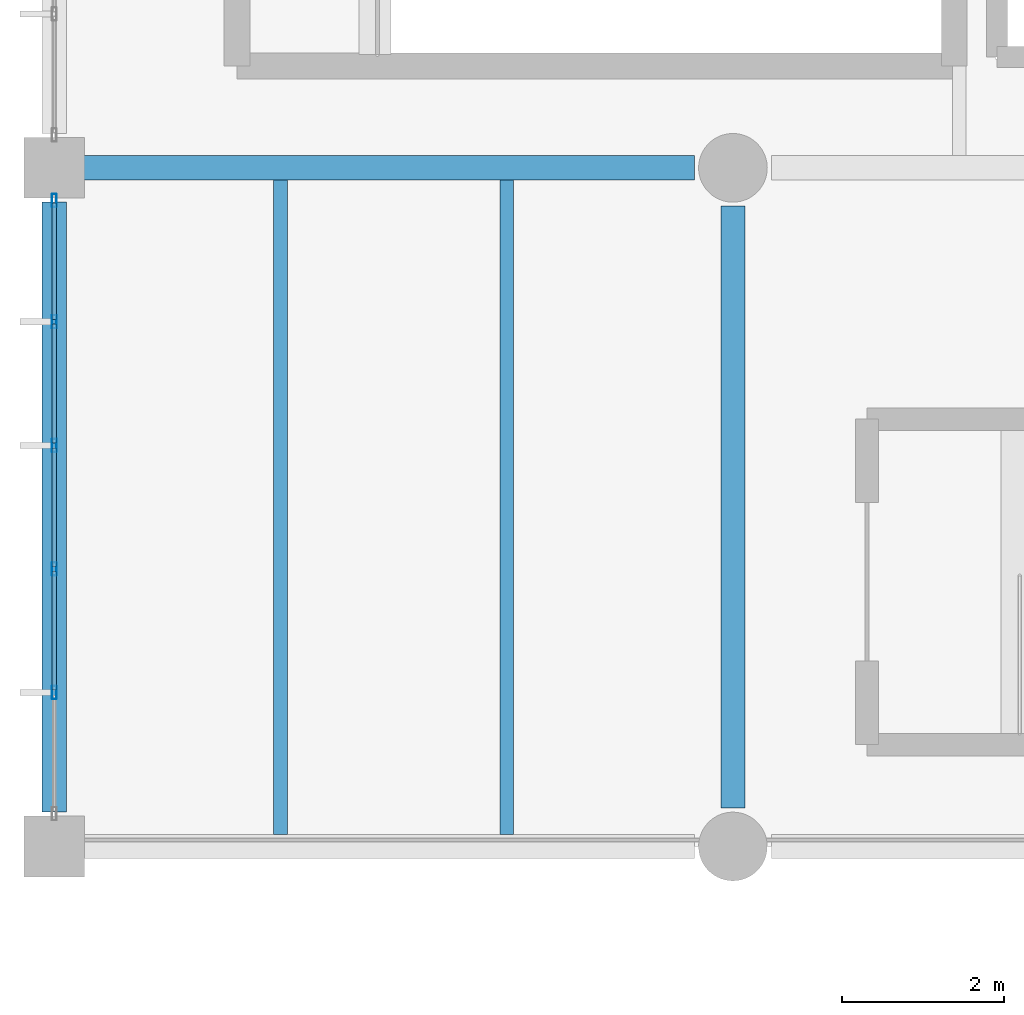
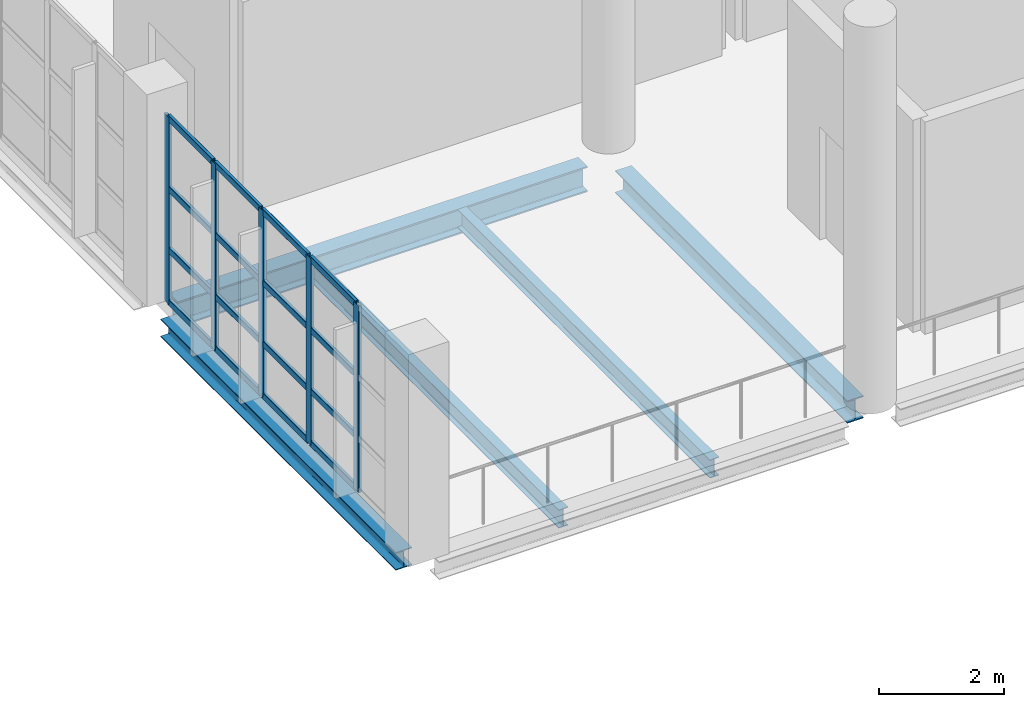
# One storey, part 27 of 177: 21 members, 5 beams, 1 element without a shape of its own.
"""IFC4 building model written with IfcOpenShell, lengths in metres."""

from ifc_helpers import new_model, si_unit, direction, frame, origin, origin_2d, place, context, subcontext, project, spatial, hollow_rectangle, i_section, extrude, material, layer, layer_set, material_profile, profile_set, type_object, element, aggregate, save


model = new_model("IFC4")

# Units and contexts
model_context = context("Model", 3, precision=1e-05, world=origin(), true_north=direction((0.0, 1.0)))
body_context = subcontext(model_context, "Body", "Model", "MODEL_VIEW")
ifc_project = project(units=[si_unit("LENGTHUNIT", "METRE"), si_unit("AREAUNIT", "SQUARE_METRE"), si_unit("VOLUMEUNIT", "CUBIC_METRE"), si_unit("PLANEANGLEUNIT", "RADIAN"), si_unit("MASSUNIT", "GRAM", prefix="KILO"), si_unit("THERMODYNAMICTEMPERATUREUNIT", "KELVIN"), si_unit("POWERUNIT", "WATT")], contexts=[model_context])

# Site, building, storey
site_placement = place(None, origin())
site = spatial("IfcSite", under=ifc_project, at=site_placement, CompositionType="ELEMENT")
building_placement = place(site_placement, origin())
building = spatial("IfcBuilding", under=site, at=building_placement, Name="Mavoryth Pier Ferry Terminal", CompositionType="ELEMENT")
storey_placement = place(building_placement, frame((0.0, 0.0, 5.43994140625)))
storey = spatial("IfcBuildingStorey", under=building, at=storey_placement, Name="L01", CompositionType="ELEMENT", Elevation=5.43994140625)

# Beams
ifc_material_1 = material(Name="Steel S355J2", Category="steel")
ifc_material_profile_1 = material_profile(ifc_material_1, i_section(OverallWidth=0.300048828125, OverallDepth=0.43994140625, WebThickness=0.011474609375, FlangeThickness=0.02099609375, FilletRadius=0.027099609375, at=origin_2d()), Name="HEA 450", Category="steel")
ifc_profile_set_1 = profile_set([ifc_material_profile_1], Name="Steel S355J2 - HEA 450")
beam_type_1 = type_object("IfcBeamType", Name="Beam-Steel-HEA450", PredefinedType="BEAM", material=ifc_profile_set_1)
beam_1_placement = place(storey_placement, frame((8.39990234375, 47.675048828125, -0.5), z_axis=(0.0, 1.0, 0.0), x_axis=(-1.0, 0.0, 0.0)))
element("IfcBeam", 1, at=beam_1_placement, inside=storey, type_object=beam_type_1, Name="Beam B01-SB03-0085", PredefinedType="BEAM", context=body_context, shape_type="SweptSolid", body=[
    extrude(i_section(OverallWidth=0.300048828125, OverallDepth=0.43994140625, WebThickness=0.011474609375, FlangeThickness=0.02099609375, FilletRadius=0.027099609375, at=origin_2d()), origin(), (0.0, 0.0, 1.0), 7.449951171875),
])
ifc_material_profile_2 = material_profile(ifc_material_1, i_section(OverallWidth=0.300048828125, OverallDepth=0.5, WebThickness=0.014404296875, FlangeThickness=0.028076171875, FilletRadius=0.027099609375, at=origin_2d()), Name="HEB 500", Category="steel")
ifc_profile_set_2 = profile_set([ifc_material_profile_2], Name="Steel S355J2 - HEB 500")
beam_type_2 = type_object("IfcBeamType", Name="Beam-Steel-HEB500", PredefinedType="BEAM", material=ifc_profile_set_2)
beam_2_placement = place(storey_placement, frame((0.324951171875, 55.60009765625, -0.530029296875), z_axis=(1.0, 0.0, 0.0), x_axis=(0.0, 1.0, 0.0)))
element("IfcBeam", 2, at=beam_2_placement, inside=storey, type_object=beam_type_2, Name="Beam B01-SB01-0052", PredefinedType="BEAM", context=body_context, shape_type="SweptSolid", body=[
    extrude(i_section(OverallWidth=0.300048828125, OverallDepth=0.5, WebThickness=0.014404296875, FlangeThickness=0.028076171875, FilletRadius=0.027099609375, at=origin_2d()), origin(), (0.0, 0.0, 1.0), 7.60009765625),
])
ifc_material_profile_3 = material_profile(ifc_material_1, i_section(OverallWidth=0.169921875, OverallDepth=0.360107421875, WebThickness=0.008056640625, FlangeThickness=0.0126953125, FilletRadius=0.01806640625, at=origin_2d()), Name="IPE 360", Category="steel")
ifc_profile_set_3 = profile_set([ifc_material_profile_3], Name="Steel S355J2 - IPE 360")
beam_type_3 = type_object("IfcBeamType", Name="Joist-Steel-IPE360", PredefinedType="JOIST", material=ifc_profile_set_3)
for number, where, z_axis, x_axis, name in (
    (3, (2.800048828125, 47.35009765625, -0.4599609375), (0.0, 1.0, 0.0), (-1.0, 0.0, 0.0), "Beam B01-SJ02-0111"),
    (4, (5.60009765625, 47.35009765625, -0.4599609375), (0.0, 1.0, 0.0), (-1.0, 0.0, 0.0), "Beam B01-SJ02-0112"),
):
    element("IfcBeam", number, at=place(storey_placement, frame(where, z_axis=z_axis, x_axis=x_axis)), inside=storey, type_object=beam_type_3, Name=name, PredefinedType="JOIST", context=body_context, shape_type="SweptSolid", body=[
        extrude(i_section(OverallWidth=0.169921875, OverallDepth=0.360107421875, WebThickness=0.008056640625, FlangeThickness=0.0126953125, FilletRadius=0.01806640625, at=origin_2d()), origin(), (0.0, 0.0, 1.0), 8.099853515625),
    ])

# Curtain wall, members
ifc_material_2 = material(Name="Anodised Aluminium and Solar-Control Low-E Glass", Category="aluminium")
ifc_layer = layer(ifc_material_2, 0.179931640625, Name="Anodised Aluminium and Solar-Control Low-E Glass", Category="aluminium")
ifc_layer_set = layer_set([ifc_layer], Name="Anodised Aluminium and Solar-Control Low-E Glass - CW-Concourse-Mod1400")
curtain_wall_type = type_object("IfcCurtainWallType", Name="CW-Concourse-Mod1400", PredefinedType="USERDEFINED", material=ifc_layer_set)
curtain_wall_placement = place(storey_placement, origin())
curtain_wall = element("IfcCurtainWall", 5, at=curtain_wall_placement, inside=storey, type_object=curtain_wall_type, Name="Curtain Wall CW-0122-007", ObjectType="UNITISED CURTAIN WALL", PredefinedType="USERDEFINED")
ifc_material_3 = material(Name="Anodised Aluminium EN AW-6063", Category="aluminium")
ifc_material_profile_4 = material_profile(ifc_material_3, hollow_rectangle(XDim=0.06005859375, YDim=0.1650390625, WallThickness=0.00390625, InnerFilletRadius=0.00390625, OuterFilletRadius=0.008056640625, at=origin_2d()), Name="AL-MULL 165x60x4", Category="aluminium")
ifc_profile_set_4 = profile_set([ifc_material_profile_4], Name="Anodised Aluminium EN AW-6063 - AL-MULL 165x60x4")
member_type_1 = type_object("IfcMemberType", Name="Mullion-Alum-165x60", PredefinedType="MULLION", material=ifc_profile_set_4)
member_1_placement = place(storey_placement, frame((0.0, 55.195068359375, 0.0), z_axis=(0.0, 0.0, 1.0), x_axis=(1.0, 0.0, 0.0)))
member_1 = element("IfcMember", 6, at=member_1_placement, type_object=member_type_1, Name="CW01 mullion 1", PredefinedType="MULLION", context=body_context, shape_type="SweptSolid", body=[
    extrude(hollow_rectangle(XDim=0.06005859375, YDim=0.1650390625, WallThickness=0.00390625, InnerFilletRadius=0.00390625, OuterFilletRadius=0.008056640625, at=origin_2d()), origin(), (0.0, 0.0, 1.0), 3.66015625),
])
member_2_placement = place(storey_placement, frame((0.0, 53.695068359375, 0.0), z_axis=(0.0, 0.0, 1.0), x_axis=(1.0, 0.0, 0.0)))
member_2 = element("IfcMember", 7, at=member_2_placement, type_object=member_type_1, Name="CW01 mullion 2", PredefinedType="MULLION", context=body_context, shape_type="SweptSolid", body=[
    extrude(hollow_rectangle(XDim=0.06005859375, YDim=0.1650390625, WallThickness=0.00390625, InnerFilletRadius=0.00390625, OuterFilletRadius=0.008056640625, at=origin_2d()), origin(), (0.0, 0.0, 1.0), 3.66015625),
])
member_3_placement = place(storey_placement, frame((0.0, 52.1650390625, 0.0), z_axis=(0.0, 0.0, 1.0), x_axis=(1.0, 0.0, 0.0)))
member_3 = element("IfcMember", 8, at=member_3_placement, type_object=member_type_1, Name="CW01 mullion 3", PredefinedType="MULLION", context=body_context, shape_type="SweptSolid", body=[
    extrude(hollow_rectangle(XDim=0.06005859375, YDim=0.1650390625, WallThickness=0.00390625, InnerFilletRadius=0.00390625, OuterFilletRadius=0.008056640625, at=origin_2d()), origin(), (0.0, 0.0, 1.0), 3.66015625),
])
member_4_placement = place(storey_placement, frame((0.0, 50.635009765625, 0.0), z_axis=(0.0, 0.0, 1.0), x_axis=(1.0, 0.0, 0.0)))
member_4 = element("IfcMember", 9, at=member_4_placement, type_object=member_type_1, Name="CW01 mullion 4", PredefinedType="MULLION", context=body_context, shape_type="SweptSolid", body=[
    extrude(hollow_rectangle(XDim=0.06005859375, YDim=0.1650390625, WallThickness=0.00390625, InnerFilletRadius=0.00390625, OuterFilletRadius=0.008056640625, at=origin_2d()), origin(), (0.0, 0.0, 1.0), 3.66015625),
])
member_5_placement = place(storey_placement, frame((0.0, 49.10498046875, 0.0), z_axis=(0.0, 0.0, 1.0), x_axis=(1.0, 0.0, 0.0)))
member_5 = element("IfcMember", 10, at=member_5_placement, type_object=member_type_1, Name="CW01 mullion 5", PredefinedType="MULLION", context=body_context, shape_type="SweptSolid", body=[
    extrude(hollow_rectangle(XDim=0.06005859375, YDim=0.1650390625, WallThickness=0.00390625, InnerFilletRadius=0.00390625, OuterFilletRadius=0.008056640625, at=origin_2d()), origin(), (0.0, 0.0, 1.0), 3.66015625),
])

# Beam
ifc_material_profile_5 = material_profile(ifc_material_1, i_section(OverallWidth=0.300048828125, OverallDepth=0.35009765625, WebThickness=0.010009765625, FlangeThickness=0.017578125, FilletRadius=0.027099609375, at=origin_2d()), Name="HEA 360", Category="steel")
ifc_profile_set_5 = profile_set([ifc_material_profile_5], Name="Steel S355J2 - HEA 360")
beam_type_4 = type_object("IfcBeamType", Name="Spandrel-Steel-HEA360", PredefinedType="SPANDREL", material=ifc_profile_set_5)
beam_3_placement = place(storey_placement, frame((0.0, 47.625, -0.454833984375), z_axis=(0.0, 1.0, 0.0), x_axis=(-1.0, 0.0, 0.0)))
element("IfcBeam", 11, at=beam_3_placement, inside=storey, type_object=beam_type_4, Name="Beam B01-SP03-0078", PredefinedType="SPANDREL", context=body_context, shape_type="SweptSolid", body=[
    extrude(i_section(OverallWidth=0.300048828125, OverallDepth=0.35009765625, WebThickness=0.010009765625, FlangeThickness=0.017578125, FilletRadius=0.027099609375, at=origin_2d()), origin(), (0.0, 0.0, 1.0), 7.550048828125),
])

# Member
ifc_material_profile_6 = material_profile(ifc_material_3, hollow_rectangle(XDim=0.06005859375, YDim=0.125, WallThickness=0.00390625, InnerFilletRadius=0.00390625, OuterFilletRadius=0.008056640625, at=origin_2d()), Name="AL-TRAN 125x60x4", Category="aluminium")
ifc_profile_set_6 = profile_set([ifc_material_profile_6], Name="Anodised Aluminium EN AW-6063 - AL-TRAN 125x60x4")
member_type_2 = type_object("IfcMemberType", Name="Transom-Alum-125x60", PredefinedType="USERDEFINED", material=ifc_profile_set_6)
member_6_placement = place(storey_placement, frame((0.0, 55.1650390625, 0.030029296875), z_axis=(0.0, -1.0, 0.0), x_axis=(1.0, 0.0, 0.0)))
member_6 = element("IfcMember", 12, at=member_6_placement, type_object=member_type_2, Name="CW01 transom 1.1", ObjectType="TRANSOM", PredefinedType="USERDEFINED", context=body_context, shape_type="SweptSolid", body=[
    extrude(hollow_rectangle(XDim=0.06005859375, YDim=0.125, WallThickness=0.00390625, InnerFilletRadius=0.00390625, OuterFilletRadius=0.008056640625, at=origin_2d()), origin(), (0.0, 0.0, 1.0), 1.43994140625),
])

member_7_placement = place(storey_placement, frame((0.0, 55.1650390625, 1.050048828125), z_axis=(0.0, -1.0, 0.0), x_axis=(1.0, 0.0, 0.0)))
member_7 = element("IfcMember", 13, at=member_7_placement, type_object=member_type_2, Name="CW01 transom 1.2", ObjectType="TRANSOM", PredefinedType="USERDEFINED", context=body_context, shape_type="SweptSolid", body=[
    extrude(hollow_rectangle(XDim=0.06005859375, YDim=0.125, WallThickness=0.00390625, InnerFilletRadius=0.00390625, OuterFilletRadius=0.008056640625, at=origin_2d()), origin(), (0.0, 0.0, 1.0), 1.43994140625),
])

member_8_placement = place(storey_placement, frame((0.0, 55.1650390625, 2.25), z_axis=(0.0, -1.0, 0.0), x_axis=(1.0, 0.0, 0.0)))
member_8 = element("IfcMember", 14, at=member_8_placement, type_object=member_type_2, Name="CW01 transom 1.3", ObjectType="TRANSOM", PredefinedType="USERDEFINED", context=body_context, shape_type="SweptSolid", body=[
    extrude(hollow_rectangle(XDim=0.06005859375, YDim=0.125, WallThickness=0.00390625, InnerFilletRadius=0.00390625, OuterFilletRadius=0.008056640625, at=origin_2d()), origin(), (0.0, 0.0, 1.0), 1.43994140625),
])

member_9_placement = place(storey_placement, frame((0.0, 55.1650390625, 3.630126953125), z_axis=(0.0, -1.0, 0.0), x_axis=(1.0, 0.0, 0.0)))
member_9 = element("IfcMember", 15, at=member_9_placement, type_object=member_type_2, Name="CW01 transom 1.4", ObjectType="TRANSOM", PredefinedType="USERDEFINED", context=body_context, shape_type="SweptSolid", body=[
    extrude(hollow_rectangle(XDim=0.06005859375, YDim=0.125, WallThickness=0.00390625, InnerFilletRadius=0.00390625, OuterFilletRadius=0.008056640625, at=origin_2d()), origin(), (0.0, 0.0, 1.0), 1.43994140625),
])

member_10_placement = place(storey_placement, frame((0.0, 53.6650390625, 0.030029296875), z_axis=(0.0, -1.0, 0.0), x_axis=(1.0, 0.0, 0.0)))
member_10 = element("IfcMember", 16, at=member_10_placement, type_object=member_type_2, Name="CW01 transom 2.1", ObjectType="TRANSOM", PredefinedType="USERDEFINED", context=body_context, shape_type="SweptSolid", body=[
    extrude(hollow_rectangle(XDim=0.06005859375, YDim=0.125, WallThickness=0.00390625, InnerFilletRadius=0.00390625, OuterFilletRadius=0.008056640625, at=origin_2d()), origin(), (0.0, 0.0, 1.0), 1.469970703125),
])

member_11_placement = place(storey_placement, frame((0.0, 53.6650390625, 1.050048828125), z_axis=(0.0, -1.0, 0.0), x_axis=(1.0, 0.0, 0.0)))
member_11 = element("IfcMember", 17, at=member_11_placement, type_object=member_type_2, Name="CW01 transom 2.2", ObjectType="TRANSOM", PredefinedType="USERDEFINED", context=body_context, shape_type="SweptSolid", body=[
    extrude(hollow_rectangle(XDim=0.06005859375, YDim=0.125, WallThickness=0.00390625, InnerFilletRadius=0.00390625, OuterFilletRadius=0.008056640625, at=origin_2d()), origin(), (0.0, 0.0, 1.0), 1.469970703125),
])

member_12_placement = place(storey_placement, frame((0.0, 53.6650390625, 2.25), z_axis=(0.0, -1.0, 0.0), x_axis=(1.0, 0.0, 0.0)))
member_12 = element("IfcMember", 18, at=member_12_placement, type_object=member_type_2, Name="CW01 transom 2.3", ObjectType="TRANSOM", PredefinedType="USERDEFINED", context=body_context, shape_type="SweptSolid", body=[
    extrude(hollow_rectangle(XDim=0.06005859375, YDim=0.125, WallThickness=0.00390625, InnerFilletRadius=0.00390625, OuterFilletRadius=0.008056640625, at=origin_2d()), origin(), (0.0, 0.0, 1.0), 1.469970703125),
])

member_13_placement = place(storey_placement, frame((0.0, 53.6650390625, 3.630126953125), z_axis=(0.0, -1.0, 0.0), x_axis=(1.0, 0.0, 0.0)))
member_13 = element("IfcMember", 19, at=member_13_placement, type_object=member_type_2, Name="CW01 transom 2.4", ObjectType="TRANSOM", PredefinedType="USERDEFINED", context=body_context, shape_type="SweptSolid", body=[
    extrude(hollow_rectangle(XDim=0.06005859375, YDim=0.125, WallThickness=0.00390625, InnerFilletRadius=0.00390625, OuterFilletRadius=0.008056640625, at=origin_2d()), origin(), (0.0, 0.0, 1.0), 1.469970703125),
])

member_14_placement = place(storey_placement, frame((0.0, 52.135009765625, 0.030029296875), z_axis=(0.0, -1.0, 0.0), x_axis=(1.0, 0.0, 0.0)))
member_14 = element("IfcMember", 20, at=member_14_placement, type_object=member_type_2, Name="CW01 transom 3.1", ObjectType="TRANSOM", PredefinedType="USERDEFINED", context=body_context, shape_type="SweptSolid", body=[
    extrude(hollow_rectangle(XDim=0.06005859375, YDim=0.125, WallThickness=0.00390625, InnerFilletRadius=0.00390625, OuterFilletRadius=0.008056640625, at=origin_2d()), origin(), (0.0, 0.0, 1.0), 1.469970703125),
])

member_15_placement = place(storey_placement, frame((0.0, 52.135009765625, 1.050048828125), z_axis=(0.0, -1.0, 0.0), x_axis=(1.0, 0.0, 0.0)))
member_15 = element("IfcMember", 21, at=member_15_placement, type_object=member_type_2, Name="CW01 transom 3.2", ObjectType="TRANSOM", PredefinedType="USERDEFINED", context=body_context, shape_type="SweptSolid", body=[
    extrude(hollow_rectangle(XDim=0.06005859375, YDim=0.125, WallThickness=0.00390625, InnerFilletRadius=0.00390625, OuterFilletRadius=0.008056640625, at=origin_2d()), origin(), (0.0, 0.0, 1.0), 1.469970703125),
])

member_16_placement = place(storey_placement, frame((0.0, 52.135009765625, 2.25), z_axis=(0.0, -1.0, 0.0), x_axis=(1.0, 0.0, 0.0)))
member_16 = element("IfcMember", 22, at=member_16_placement, type_object=member_type_2, Name="CW01 transom 3.3", ObjectType="TRANSOM", PredefinedType="USERDEFINED", context=body_context, shape_type="SweptSolid", body=[
    extrude(hollow_rectangle(XDim=0.06005859375, YDim=0.125, WallThickness=0.00390625, InnerFilletRadius=0.00390625, OuterFilletRadius=0.008056640625, at=origin_2d()), origin(), (0.0, 0.0, 1.0), 1.469970703125),
])

member_17_placement = place(storey_placement, frame((0.0, 52.135009765625, 3.630126953125), z_axis=(0.0, -1.0, 0.0), x_axis=(1.0, 0.0, 0.0)))
member_17 = element("IfcMember", 23, at=member_17_placement, type_object=member_type_2, Name="CW01 transom 3.4", ObjectType="TRANSOM", PredefinedType="USERDEFINED", context=body_context, shape_type="SweptSolid", body=[
    extrude(hollow_rectangle(XDim=0.06005859375, YDim=0.125, WallThickness=0.00390625, InnerFilletRadius=0.00390625, OuterFilletRadius=0.008056640625, at=origin_2d()), origin(), (0.0, 0.0, 1.0), 1.469970703125),
])

member_18_placement = place(storey_placement, frame((0.0, 50.60498046875, 0.030029296875), z_axis=(0.0, -1.0, 0.0), x_axis=(1.0, 0.0, 0.0)))
member_18 = element("IfcMember", 24, at=member_18_placement, type_object=member_type_2, Name="CW01 transom 4.1", ObjectType="TRANSOM", PredefinedType="USERDEFINED", context=body_context, shape_type="SweptSolid", body=[
    extrude(hollow_rectangle(XDim=0.06005859375, YDim=0.125, WallThickness=0.00390625, InnerFilletRadius=0.00390625, OuterFilletRadius=0.008056640625, at=origin_2d()), origin(), (0.0, 0.0, 1.0), 1.469970703125),
])

member_19_placement = place(storey_placement, frame((0.0, 50.60498046875, 1.050048828125), z_axis=(0.0, -1.0, 0.0), x_axis=(1.0, 0.0, 0.0)))
member_19 = element("IfcMember", 25, at=member_19_placement, type_object=member_type_2, Name="CW01 transom 4.2", ObjectType="TRANSOM", PredefinedType="USERDEFINED", context=body_context, shape_type="SweptSolid", body=[
    extrude(hollow_rectangle(XDim=0.06005859375, YDim=0.125, WallThickness=0.00390625, InnerFilletRadius=0.00390625, OuterFilletRadius=0.008056640625, at=origin_2d()), origin(), (0.0, 0.0, 1.0), 1.469970703125),
])

member_20_placement = place(storey_placement, frame((0.0, 50.60498046875, 2.25), z_axis=(0.0, -1.0, 0.0), x_axis=(1.0, 0.0, 0.0)))
member_20 = element("IfcMember", 26, at=member_20_placement, type_object=member_type_2, Name="CW01 transom 4.3", ObjectType="TRANSOM", PredefinedType="USERDEFINED", context=body_context, shape_type="SweptSolid", body=[
    extrude(hollow_rectangle(XDim=0.06005859375, YDim=0.125, WallThickness=0.00390625, InnerFilletRadius=0.00390625, OuterFilletRadius=0.008056640625, at=origin_2d()), origin(), (0.0, 0.0, 1.0), 1.469970703125),
])

member_21_placement = place(storey_placement, frame((0.0, 50.60498046875, 3.630126953125), z_axis=(0.0, -1.0, 0.0), x_axis=(1.0, 0.0, 0.0)))
member_21 = element("IfcMember", 27, at=member_21_placement, type_object=member_type_2, Name="CW01 transom 4.4", ObjectType="TRANSOM", PredefinedType="USERDEFINED", context=body_context, shape_type="SweptSolid", body=[
    extrude(hollow_rectangle(XDim=0.06005859375, YDim=0.125, WallThickness=0.00390625, InnerFilletRadius=0.00390625, OuterFilletRadius=0.008056640625, at=origin_2d()), origin(), (0.0, 0.0, 1.0), 1.469970703125),
])

aggregate(curtain_wall, [member_1, member_2, member_3, member_4, member_5, member_6, member_7, member_8, member_9, member_10, member_11, member_12, member_13, member_14, member_15, member_16, member_17, member_18, member_19, member_20, member_21])

save(model, "model.ifc")
